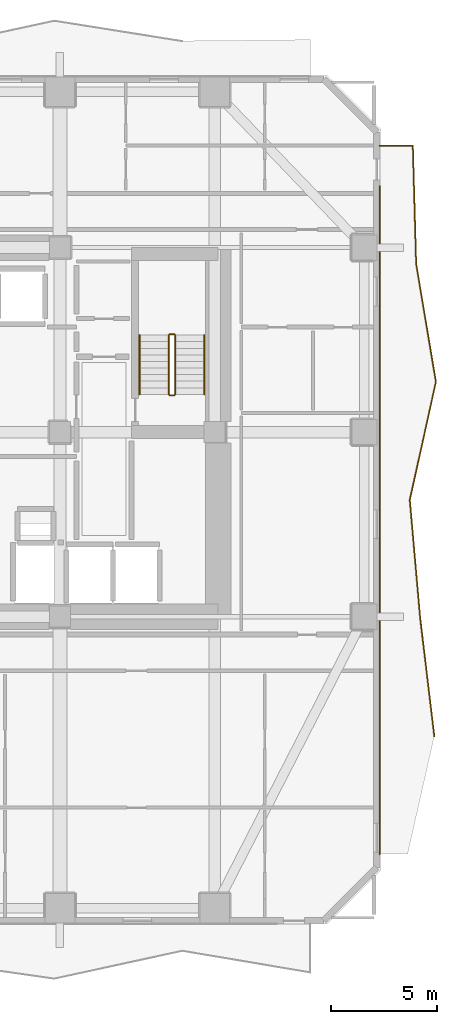
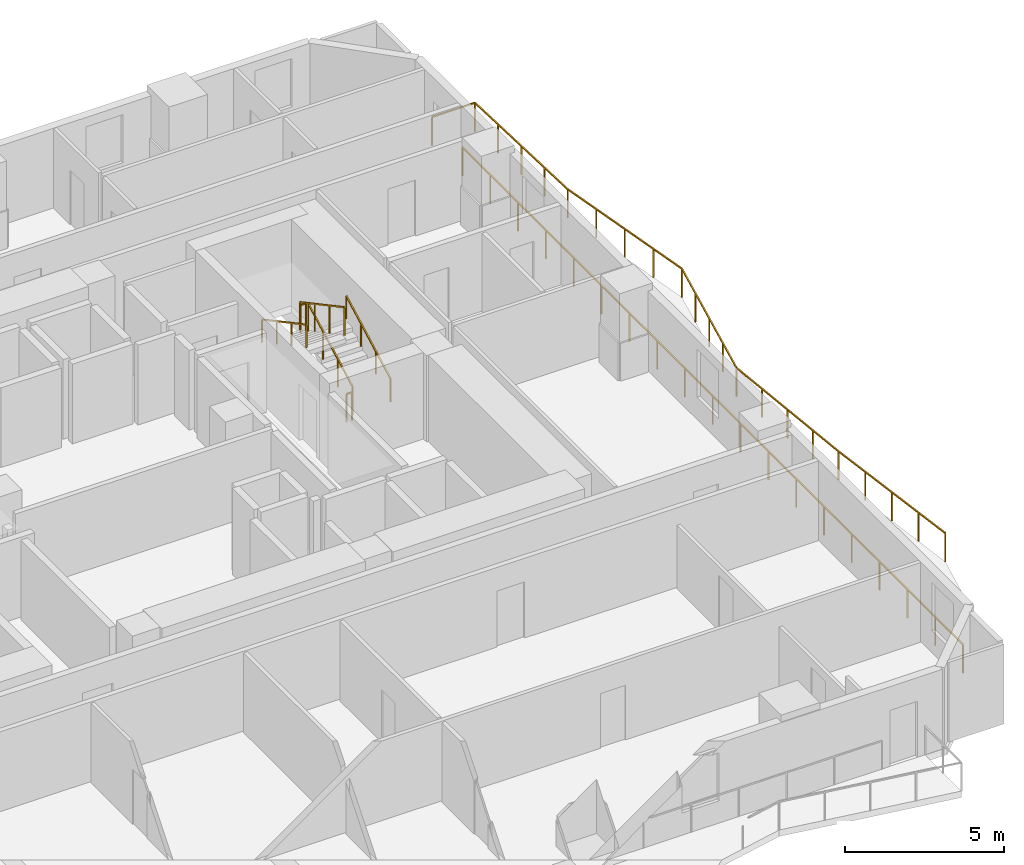
# One storey, part 10 of 11: 8 railings.
"""IFC4 building model written with IfcOpenShell, lengths in metres."""

import ifcopenshell
import ifcopenshell.guid

model = None  # the IFC model being written
_history = None  # IfcOwnerHistory: only IFC2X3 demands one
_inside = {}  # id of a spatial element -> (the spatial element, [elements in it])
_under = {}  # id of a project, library or spatial element -> (it, [spatial elements below it])
_declared = {}  # id of a project -> (the project, [libraries it declares])
_typed = {}  # id of a type object -> (the type object, [elements of that type])
_made_of = {}  # id of a material, layer set ... -> (it, [elements and type objects made of it])


def new_model(schema):
    """Start an empty IFC model of exactly this schema.

    Asked for "IFC4X3", IfcOpenShell would pick the latest addendum, in which some entities
    have other attributes; the version numbers below select the first issue.
    IFC2X3 requires an IfcOwnerHistory on every rooted entity: one is made here for all.
    """
    global model, _history
    if schema == "IFC4X3":
        model = ifcopenshell.file(schema_version=(4, 3, 0, 0))
    else:
        model = ifcopenshell.file(schema=schema)
    _inside.clear()
    _under.clear()
    _declared.clear()
    _typed.clear()
    _made_of.clear()
    _history = None
    if model.schema == "IFC2X3":
        org = make("IfcOrganization", Name="unknown")
        user = make(
            "IfcPersonAndOrganization",
            ThePerson=make("IfcPerson", FamilyName="unknown"),
            TheOrganization=org,
        )
        app = make(
            "IfcApplication",
            ApplicationDeveloper=org,
            Version="unknown",
            ApplicationFullName="unknown",
            ApplicationIdentifier="unknown",
        )
        _history = make(
            "IfcOwnerHistory",
            OwningUser=user,
            OwningApplication=app,
            ChangeAction="ADDED",
            CreationDate=0,
        )
    return model


def make(cls, **values):
    """One entity of the class cls with the attributes given. An attribute that is None is left unset."""
    return model.create_entity(
        cls, **{name: value for name, value in values.items() if value is not None}
    )


def rooted(cls, **values):
    """An entity with a GlobalId (a new one), such as an element, a storey or a relation."""
    return make(cls, GlobalId=ifcopenshell.guid.new(), OwnerHistory=_history, **values)


def si_unit(unit_type, name, prefix=None):
    """IfcSIUnit, for example si_unit("LENGTHUNIT", "METRE", prefix="MILLI")."""
    return make("IfcSIUnit", UnitType=unit_type, Prefix=prefix, Name=name)


def assignment(units):
    """IfcUnitAssignment: the units of a project."""
    return None if units is None else make("IfcUnitAssignment", Units=units)


def point(xyz):
    """IfcCartesianPoint."""
    return None if xyz is None else make("IfcCartesianPoint", Coordinates=xyz)


def direction(xyz):
    """IfcDirection."""
    return None if xyz is None else make("IfcDirection", DirectionRatios=xyz)


def frame(location, z_axis=None, x_axis=None):
    """IfcAxis2Placement3D, a coordinate frame: its origin and axes. An axis left out is left unset."""
    return make(
        "IfcAxis2Placement3D",
        Location=point(location),
        Axis=direction(z_axis),
        RefDirection=direction(x_axis),
    )


def frame_2d(location, x_axis=None):
    """IfcAxis2Placement2D, a coordinate frame in the plane: its origin and x axis."""
    return make(
        "IfcAxis2Placement2D", Location=point(location), RefDirection=direction(x_axis)
    )


def origin():
    """The frame at (0, 0, 0) with its axes left unset."""
    return frame((0.0, 0.0, 0.0))


def origin_2d():
    """The frame at (0, 0) in the plane with its x axis left unset."""
    return frame_2d((0.0, 0.0))


def place(relative_to, where):
    """IfcLocalPlacement: puts the frame where relative to a parent placement (None: the world)."""
    return make(
        "IfcLocalPlacement", PlacementRelTo=relative_to, RelativePlacement=where
    )


def context(
    kind, dimensions, precision=None, world=None, true_north=None, identifier=None
):
    """IfcGeometricRepresentationContext, for example the 3D "Model" context."""
    return make(
        "IfcGeometricRepresentationContext",
        ContextIdentifier=identifier,
        ContextType=kind,
        CoordinateSpaceDimension=dimensions,
        Precision=precision,
        WorldCoordinateSystem=world,
        TrueNorth=true_north,
    )


def subcontext(parent, identifier, kind, view, scale=None):
    """IfcGeometricRepresentationSubContext, for example "Body" below "Model"."""
    return make(
        "IfcGeometricRepresentationSubContext",
        ContextIdentifier=identifier,
        ContextType=kind,
        ParentContext=parent,
        TargetScale=scale,
        TargetView=view,
    )


def project(units=None, contexts=None):
    """IfcProject with its units and contexts."""
    return rooted(
        "IfcProject",
        Name="project",
        RepresentationContexts=contexts,
        UnitsInContext=assignment(units),
    )


def spatial(cls, under=None, at=None, **own):
    """A site, building, storey or space (cls), placed at a placement, below another one or the project."""
    s = rooted(cls, ObjectPlacement=at, **own)
    if under is not None:
        _under.setdefault(under.id(), (under, []))[1].append(s)
    return s


def profile(cls, at=None, kind="AREA", **sizes):
    """A parametric profile (cls). Its sizes go by their IFC names, for example OverallWidth=200.0."""
    return make(cls, ProfileType=kind, Position=at, **sizes)


def rectangle(**sizes):
    """IfcRectangleProfileDef."""
    return profile("IfcRectangleProfileDef", **sizes)


def extrude(swept, where, along, depth):
    """IfcExtrudedAreaSolid: the profile swept, set in the frame where, extruded along a direction by depth."""
    return make(
        "IfcExtrudedAreaSolid",
        SweptArea=swept,
        Position=where,
        ExtrudedDirection=direction(along),
        Depth=depth,
    )


def shape(context_of_items, identifier, shape_type, items):
    """IfcShapeRepresentation: the items that make up one representation, for example the "Body"."""
    return make(
        "IfcShapeRepresentation",
        ContextOfItems=context_of_items,
        RepresentationIdentifier=identifier,
        RepresentationType=shape_type,
        Items=items,
    )


def material(Name=None, Category=None):
    """IfcMaterial."""
    return make("IfcMaterial", Name=Name, Category=Category)


def made_of(thing, what):
    """Note that an element or type object is made of a material, layer set ...; save() writes the relation."""
    if what is not None:
        _made_of.setdefault(what.id(), (what, []))[1].append(thing)
    return thing


def type_object(cls, material=None, **own):
    """A type object (cls), such as IfcWallType, which elements share."""
    return made_of(rooted(cls, **own), material)


def element(
    cls,
    number,
    at=None,
    inside=None,
    cuts=None,
    type_object=None,
    material=None,
    context=None,
    identifier="Body",
    shape_type=None,
    held_by="IfcProductDefinitionShape",
    body=None,
    shapes=None,
    **own,
):
    """One element of the class cls, such as IfcWall. Its Tag is "e" and its number.

    at: its placement. inside: the storey or other place that contains it. cuts: it is an
    opening in that element (IfcRelVoidsElement). A single representation is given by context,
    identifier, shape_type and body (its items); several are given by shapes. held_by: the class
    of the entity that holds the representations. save() writes the other relations.
    """
    e = rooted(cls, Tag="e%d" % number, ObjectPlacement=at, **own)
    if body is not None:
        shapes = [shape(context, identifier, shape_type, body)]
    if shapes is not None:
        e.Representation = make(held_by, Representations=shapes)
    if inside is not None:
        _inside.setdefault(inside.id(), (inside, []))[1].append(e)
    if cuts is not None:
        rooted(
            "IfcRelVoidsElement", RelatingBuildingElement=cuts, RelatedOpeningElement=e
        )
    if type_object is not None:
        _typed.setdefault(type_object.id(), (type_object, []))[1].append(e)
    return made_of(e, material)


def aggregate(whole, parts):
    """IfcRelAggregates: a whole, such as a stair, and the parts it consists of."""
    return rooted("IfcRelAggregates", RelatingObject=whole, RelatedObjects=parts)


def save(model, path):
    """Write the relations noted so far, then the file.

    IfcRelAggregates (storeys below a building ...), IfcRelContainedInSpatialStructure (elements
    in a storey), IfcRelDefinesByType, IfcRelAssociatesMaterial and IfcRelDeclares: one each for
    every whole, place, type object, material and project.
    """
    for whole, parts in _under.values():
        aggregate(whole, parts)
    for where, things in _inside.values():
        rooted(
            "IfcRelContainedInSpatialStructure",
            RelatedElements=things,
            RelatingStructure=where,
        )
    for kind, things in _typed.values():
        rooted("IfcRelDefinesByType", RelatedObjects=things, RelatingType=kind)
    for what, things in _made_of.values():
        rooted("IfcRelAssociatesMaterial", RelatedObjects=things, RelatingMaterial=what)
    for by, libraries in _declared.values():
        rooted("IfcRelDeclares", RelatingContext=by, RelatedDefinitions=libraries)
    model.write(path)


model = new_model("IFC4")

# Units and contexts
model_context = context("Model", 3, precision=1e-05, world=origin(), true_north=direction((0.0, 1.0)))
body_context = subcontext(model_context, "Body", "Model", "MODEL_VIEW")
ifc_project = project(units=[si_unit("LENGTHUNIT", "METRE"), si_unit("AREAUNIT", "SQUARE_METRE"), si_unit("VOLUMEUNIT", "CUBIC_METRE"), si_unit("PLANEANGLEUNIT", "RADIAN"), si_unit("MASSUNIT", "GRAM", prefix="KILO")], contexts=[model_context])

# Site, building, storey
site_placement = place(None, origin())
site = spatial("IfcSite", under=ifc_project, at=site_placement, CompositionType="ELEMENT")
building_placement = place(site_placement, origin())
building = spatial("IfcBuilding", under=site, at=building_placement, Name="Solanera Arch Residences", CompositionType="ELEMENT")
storey_placement = place(building_placement, frame((0.0, 0.0, 31.9599609375)))
storey = spatial("IfcBuildingStorey", under=building, at=storey_placement, Name="L08", CompositionType="ELEMENT", Elevation=31.9599609375)

# Railings
ifc_material_1 = material(Name="Steel S355 (ASTM A992 / A572 Grade 50)", Category="steel")
railing_type_1 = type_object("IfcRailingType", Name="Balustrade Railing BL-1100", PredefinedType="BALUSTRADE", material=ifc_material_1)
railing_1_placement = place(storey_placement, frame((46.85009765625, 16.366943359375, 0.0)))
element("IfcRailing", 1, at=railing_1_placement, inside=storey, type_object=railing_type_1, Name="L08 E Balcony Balustrade 1", PredefinedType="BALUSTRADE", context=body_context, shape_type="SweptSolid", body=[
    extrude(rectangle(XDim=0.048095703125, YDim=0.048095703125, at=origin_2d()), frame((0.0, 0.0, 1.09619140625), z_axis=(-0.118806904127, 0.992917377999, 0.0), x_axis=(-0.992917377999, -0.118806904127, 0.0)), (0.0, 0.0, 1.0), 5.60595703125),
    extrude(rectangle(XDim=0.048095703125, YDim=0.048095703125, at=origin_2d()), frame((-0.666015625, 5.566162109375, 1.09619140625), z_axis=(-0.087679611199, 0.996148726737, 0.0), x_axis=(-0.996148726737, -0.087679611199, 0.0)), (0.0, 0.0, 1.0), 5.58837890625),
    extrude(rectangle(XDim=0.048095703125, YDim=0.048095703125, at=origin_2d()), frame((-1.156005859375, 11.133056640625, 1.09619140625), z_axis=(0.216068938823, 0.976378109994, 0.0), x_axis=(-0.976378109994, 0.216068938823, 0.0)), (0.0, 0.0, 1.0), 5.70166015625),
    extrude(rectangle(XDim=0.048095703125, YDim=0.048095703125, at=origin_2d()), frame((0.075927734375, 16.699951171875, 1.09619140625), z_axis=(-0.165163573258, 0.986266188242, 0.0), x_axis=(-0.986266188242, -0.165163573258, 0.0)), (0.0, 0.0, 1.0), 5.6435546875),
    extrude(rectangle(XDim=0.048095703125, YDim=0.048095703125, at=origin_2d()), frame((-0.856201171875, 22.26611328125, 1.09619140625), z_axis=(-0.028012859953, 0.999607562835, 0.0), x_axis=(-0.999607562835, -0.028012859953, 0.0)), (0.0, 0.0, 1.0), 5.569091796875),
    extrude(rectangle(XDim=0.048095703125, YDim=0.048095703125, at=origin_2d()), frame((-1.01220703125, 27.8330078125, 1.09619140625), z_axis=(-1.0, 0.0, 0.0), x_axis=(0.0, -1.0, 0.0)), (0.0, 0.0, 1.0), 1.557861328125),
    extrude(rectangle(XDim=0.0419921875, YDim=0.0419921875, at=origin_2d()), origin(), (0.0, 0.0, 1.0), 1.072021484375),
    extrude(rectangle(XDim=0.0419921875, YDim=0.0419921875, at=origin_2d()), frame((-0.16650390625, 1.3916015625, 0.0)), (0.0, 0.0, 1.0), 1.072021484375),
    extrude(rectangle(XDim=0.0419921875, YDim=0.0419921875, at=origin_2d()), frame((-0.3330078125, 2.783203125, 0.0)), (0.0, 0.0, 1.0), 1.072021484375),
    extrude(rectangle(XDim=0.0419921875, YDim=0.0419921875, at=origin_2d()), frame((-0.49951171875, 4.174560546875, 0.0)), (0.0, 0.0, 1.0), 1.072021484375),
    extrude(rectangle(XDim=0.0419921875, YDim=0.0419921875, at=origin_2d()), frame((-0.666015625, 5.566162109375, 0.0)), (0.0, 0.0, 1.0), 1.072021484375),
    extrude(rectangle(XDim=0.0419921875, YDim=0.0419921875, at=origin_2d()), frame((-0.78857421875, 6.9580078125, 0.0)), (0.0, 0.0, 1.0), 1.072021484375),
    extrude(rectangle(XDim=0.0419921875, YDim=0.0419921875, at=origin_2d()), frame((-0.9111328125, 8.349609375, 0.0)), (0.0, 0.0, 1.0), 1.072021484375),
    extrude(rectangle(XDim=0.0419921875, YDim=0.0419921875, at=origin_2d()), frame((-1.033447265625, 9.7412109375, 0.0)), (0.0, 0.0, 1.0), 1.072021484375),
    extrude(rectangle(XDim=0.0419921875, YDim=0.0419921875, at=origin_2d()), frame((-1.156005859375, 11.133056640625, 0.0)), (0.0, 0.0, 1.0), 1.072021484375),
    extrude(rectangle(XDim=0.0419921875, YDim=0.0419921875, at=origin_2d()), frame((-0.84814453125, 12.52490234375, 0.0)), (0.0, 0.0, 1.0), 1.072021484375),
    extrude(rectangle(XDim=0.0419921875, YDim=0.0419921875, at=origin_2d()), frame((-0.5400390625, 13.91650390625, 0.0)), (0.0, 0.0, 1.0), 1.072021484375),
    extrude(rectangle(XDim=0.0419921875, YDim=0.0419921875, at=origin_2d()), frame((-0.23193359375, 15.30810546875, 0.0)), (0.0, 0.0, 1.0), 1.072021484375),
    extrude(rectangle(XDim=0.0419921875, YDim=0.0419921875, at=origin_2d()), frame((0.075927734375, 16.699951171875, 0.0)), (0.0, 0.0, 1.0), 1.072021484375),
    extrude(rectangle(XDim=0.0419921875, YDim=0.0419921875, at=origin_2d()), frame((-0.1572265625, 18.091552734375, 0.0)), (0.0, 0.0, 1.0), 1.072021484375),
    extrude(rectangle(XDim=0.0419921875, YDim=0.0419921875, at=origin_2d()), frame((-0.39013671875, 19.48291015625, 0.0)), (0.0, 0.0, 1.0), 1.072021484375),
    extrude(rectangle(XDim=0.0419921875, YDim=0.0419921875, at=origin_2d()), frame((-0.623046875, 20.87451171875, 0.0)), (0.0, 0.0, 1.0), 1.072021484375),
    extrude(rectangle(XDim=0.0419921875, YDim=0.0419921875, at=origin_2d()), frame((-0.856201171875, 22.26611328125, 0.0)), (0.0, 0.0, 1.0), 1.072021484375),
    extrude(rectangle(XDim=0.0419921875, YDim=0.0419921875, at=origin_2d()), frame((-0.895263671875, 23.65771484375, 0.0)), (0.0, 0.0, 1.0), 1.072021484375),
    extrude(rectangle(XDim=0.0419921875, YDim=0.0419921875, at=origin_2d()), frame((-0.93408203125, 25.049560546875, 0.0)), (0.0, 0.0, 1.0), 1.072021484375),
    extrude(rectangle(XDim=0.0419921875, YDim=0.0419921875, at=origin_2d()), frame((-0.97314453125, 26.44140625, 0.0)), (0.0, 0.0, 1.0), 1.072021484375),
    extrude(rectangle(XDim=0.0419921875, YDim=0.0419921875, at=origin_2d()), frame((-1.01220703125, 27.8330078125, 0.0)), (0.0, 0.0, 1.0), 1.072021484375),
    extrude(rectangle(XDim=0.0419921875, YDim=0.0419921875, at=origin_2d()), frame((-2.570068359375, 27.8330078125, 0.0)), (0.0, 0.0, 1.0), 1.072021484375),
])
railing_2_placement = place(storey_placement, frame((44.280029296875, 42.283935546875, 0.0)))
element("IfcRailing", 2, at=railing_2_placement, inside=storey, type_object=railing_type_1, Name="L08 E Balcony Balustrade 2", PredefinedType="BALUSTRADE", context=body_context, shape_type="SweptSolid", body=[
    extrude(rectangle(XDim=0.048095703125, YDim=0.048095703125, at=origin_2d()), frame((0.0, 0.0, 1.09619140625), z_axis=(0.0, -1.0, 0.0), x_axis=(1.0, 0.0, 0.0)), (0.0, 0.0, 1.0), 31.48388671875),
    extrude(rectangle(XDim=0.0419921875, YDim=0.0419921875, at=origin_2d()), origin(), (0.0, 0.0, 1.0), 1.072021484375),
    extrude(rectangle(XDim=0.0419921875, YDim=0.0419921875, at=origin_2d()), frame((0.0, -1.7490234375, 0.0)), (0.0, 0.0, 1.0), 1.072021484375),
    extrude(rectangle(XDim=0.0419921875, YDim=0.0419921875, at=origin_2d()), frame((0.0, -3.498291015625, 0.0)), (0.0, 0.0, 1.0), 1.072021484375),
    extrude(rectangle(XDim=0.0419921875, YDim=0.0419921875, at=origin_2d()), frame((0.0, -5.247314453125, 0.0)), (0.0, 0.0, 1.0), 1.072021484375),
    extrude(rectangle(XDim=0.0419921875, YDim=0.0419921875, at=origin_2d()), frame((0.0, -6.996337890625, 0.0)), (0.0, 0.0, 1.0), 1.072021484375),
    extrude(rectangle(XDim=0.0419921875, YDim=0.0419921875, at=origin_2d()), frame((0.0, -8.74560546875, 0.0)), (0.0, 0.0, 1.0), 1.072021484375),
    extrude(rectangle(XDim=0.0419921875, YDim=0.0419921875, at=origin_2d()), frame((0.0, -10.49462890625, 0.0)), (0.0, 0.0, 1.0), 1.072021484375),
    extrude(rectangle(XDim=0.0419921875, YDim=0.0419921875, at=origin_2d()), frame((0.0, -12.24365234375, 0.0)), (0.0, 0.0, 1.0), 1.072021484375),
    extrude(rectangle(XDim=0.0419921875, YDim=0.0419921875, at=origin_2d()), frame((0.0, -13.992919921875, 0.0)), (0.0, 0.0, 1.0), 1.072021484375),
    extrude(rectangle(XDim=0.0419921875, YDim=0.0419921875, at=origin_2d()), frame((0.0, -15.741943359375, 0.0)), (0.0, 0.0, 1.0), 1.072021484375),
    extrude(rectangle(XDim=0.0419921875, YDim=0.0419921875, at=origin_2d()), frame((0.0, -17.490966796875, 0.0)), (0.0, 0.0, 1.0), 1.072021484375),
    extrude(rectangle(XDim=0.0419921875, YDim=0.0419921875, at=origin_2d()), frame((0.0, -19.240234375, 0.0)), (0.0, 0.0, 1.0), 1.072021484375),
    extrude(rectangle(XDim=0.0419921875, YDim=0.0419921875, at=origin_2d()), frame((0.0, -20.9892578125, 0.0)), (0.0, 0.0, 1.0), 1.072021484375),
    extrude(rectangle(XDim=0.0419921875, YDim=0.0419921875, at=origin_2d()), frame((0.0, -22.73828125, 0.0)), (0.0, 0.0, 1.0), 1.072021484375),
    extrude(rectangle(XDim=0.0419921875, YDim=0.0419921875, at=origin_2d()), frame((0.0, -24.487548828125, 0.0)), (0.0, 0.0, 1.0), 1.072021484375),
    extrude(rectangle(XDim=0.0419921875, YDim=0.0419921875, at=origin_2d()), frame((0.0, -26.236572265625, 0.0)), (0.0, 0.0, 1.0), 1.072021484375),
    extrude(rectangle(XDim=0.0419921875, YDim=0.0419921875, at=origin_2d()), frame((0.0, -27.985595703125, 0.0)), (0.0, 0.0, 1.0), 1.072021484375),
    extrude(rectangle(XDim=0.0419921875, YDim=0.0419921875, at=origin_2d()), frame((0.0, -29.73486328125, 0.0)), (0.0, 0.0, 1.0), 1.072021484375),
    extrude(rectangle(XDim=0.0419921875, YDim=0.0419921875, at=origin_2d()), frame((0.0, -31.48388671875, 0.0)), (0.0, 0.0, 1.0), 1.072021484375),
])
ifc_material_2 = material(Name="Steel S355 (ASTM A992 / A572 Grade 50)", Category="steel")
railing_type_2 = type_object("IfcRailingType", Name="Stair Guardrail GR-1100", PredefinedType="GUARDRAIL", material=ifc_material_2)
railing_3_placement = place(storey_placement, frame((34.6298828125, 32.47998046875, 0.151123046875)))
element("IfcRailing", 3, at=railing_3_placement, inside=storey, type_object=railing_type_2, Name="L08 ST-T2 stair guard 1", PredefinedType="GUARDRAIL", context=body_context, shape_type="SweptSolid", body=[
    extrude(rectangle(XDim=0.048095703125, YDim=0.048095703125, at=origin_2d()), frame((0.0, 0.0, 1.076171875), z_axis=(0.0, 0.881580869306, 0.472033018838), x_axis=(-1.0, 0.0, 0.0)), (0.0, 0.0, 1.0), 3.164794921875),
    extrude(rectangle(XDim=0.0419921875, YDim=0.0419921875, at=origin_2d()), origin(), (0.0, 0.0, 1.0), 1.052001953125),
    extrude(rectangle(XDim=0.0419921875, YDim=0.0419921875, at=origin_2d()), frame((0.0, 0.929931640625, 0.498046875)), (0.0, 0.0, 1.0), 1.052001953125),
    extrude(rectangle(XDim=0.0419921875, YDim=0.0419921875, at=origin_2d()), frame((0.0, 1.860107421875, 0.995849609375)), (0.0, 0.0, 1.0), 1.052001953125),
    extrude(rectangle(XDim=0.0419921875, YDim=0.0419921875, at=origin_2d()), frame((0.0, 2.7900390625, 1.493896484375)), (0.0, 0.0, 1.0), 1.052001953125),
])
railing_4_placement = place(storey_placement, frame((34.580078125, 35.320068359375, 1.64501953125)))
element("IfcRailing", 4, at=railing_4_placement, inside=storey, type_object=railing_type_2, Name="L08 ST-T2 stair guard 2", PredefinedType="GUARDRAIL", context=body_context, shape_type="SweptSolid", body=[
    extrude(rectangle(XDim=0.048095703125, YDim=0.048095703125, at=origin_2d()), frame((0.0, 0.0, 1.076171875), z_axis=(-1.0, 0.0, 0.0), x_axis=(0.0, -1.0, 0.0)), (0.0, 0.0, 1.0), 0.2001953125),
    extrude(rectangle(XDim=0.0419921875, YDim=0.0419921875, at=origin_2d()), origin(), (0.0, 0.0, 1.0), 1.052001953125),
    extrude(rectangle(XDim=0.0419921875, YDim=0.0419921875, at=origin_2d()), frame((-0.2001953125, 0.0, 0.0)), (0.0, 0.0, 1.0), 1.052001953125),
])
railing_5_placement = place(storey_placement, frame((34.330078125, 35.27001953125, 1.81103515625)))
element("IfcRailing", 5, at=railing_5_placement, inside=storey, type_object=railing_type_2, Name="L08 ST-T2 stair guard 3", PredefinedType="GUARDRAIL", context=body_context, shape_type="SweptSolid", body=[
    extrude(rectangle(XDim=0.048095703125, YDim=0.048095703125, at=origin_2d()), frame((0.0, 0.0, 1.076171875), z_axis=(0.0, -0.881580869306, 0.472033018838), x_axis=(1.0, 0.0, 0.0)), (0.0, 0.0, 1.0), 3.164794921875),
    extrude(rectangle(XDim=0.0419921875, YDim=0.0419921875, at=origin_2d()), origin(), (0.0, 0.0, 1.0), 1.052001953125),
    extrude(rectangle(XDim=0.0419921875, YDim=0.0419921875, at=origin_2d()), frame((0.0, -0.929931640625, 0.498046875)), (0.0, 0.0, 1.0), 1.052001953125),
    extrude(rectangle(XDim=0.0419921875, YDim=0.0419921875, at=origin_2d()), frame((0.0, -1.860107421875, 0.995849609375)), (0.0, 0.0, 1.0), 1.052001953125),
    extrude(rectangle(XDim=0.0419921875, YDim=0.0419921875, at=origin_2d()), frame((0.0, -2.7900390625, 1.493896484375)), (0.0, 0.0, 1.0), 1.052001953125),
])
railing_6_placement = place(storey_placement, frame((34.580078125, 32.429931640625, -0.014892578125)))
element("IfcRailing", 6, at=railing_6_placement, inside=storey, type_object=railing_type_2, Name="L08 ST-T2 stair guard 4", PredefinedType="GUARDRAIL", context=body_context, shape_type="SweptSolid", body=[
    extrude(rectangle(XDim=0.048095703125, YDim=0.048095703125, at=origin_2d()), frame((0.0, 0.0, 1.076171875), z_axis=(-1.0, 0.0, 0.0), x_axis=(0.0, -1.0, 0.0)), (0.0, 0.0, 1.0), 0.2001953125),
    extrude(rectangle(XDim=0.0419921875, YDim=0.0419921875, at=origin_2d()), origin(), (0.0, 0.0, 1.0), 1.052001953125),
    extrude(rectangle(XDim=0.0419921875, YDim=0.0419921875, at=origin_2d()), frame((-0.2001953125, 0.0, 0.0)), (0.0, 0.0, 1.0), 1.052001953125),
])
ifc_material_3 = material(Name="Steel S355 (ASTM A992 / A572 Grade 50)", Category="steel")
railing_type_3 = type_object("IfcRailingType", Name="Stair Wall Handrail HR-920", PredefinedType="HANDRAIL", material=ifc_material_3)
railing_7_placement = place(storey_placement, frame((36.010009765625, 32.47998046875, 0.166015625)))
element("IfcRailing", 7, at=railing_7_placement, inside=storey, type_object=railing_type_3, Name="L08 ST-T2 stair handrail 1", PredefinedType="HANDRAIL", context=body_context, shape_type="SweptSolid", body=[
    extrude(rectangle(XDim=0.048095703125, YDim=0.048095703125, at=origin_2d()), frame((0.0, 0.0, 0.8759765625), z_axis=(0.0, 0.881548766853, 0.472092969298), x_axis=(-1.0, 0.0, 0.0)), (0.0, 0.0, 1.0), 3.1650390625),
    extrude(rectangle(XDim=0.0419921875, YDim=0.0419921875, at=origin_2d()), origin(), (0.0, 0.0, 1.0), 0.851806640625),
    extrude(rectangle(XDim=0.0419921875, YDim=0.0419921875, at=origin_2d()), frame((0.0, 0.929931640625, 0.498046875)), (0.0, 0.0, 1.0), 0.851806640625),
    extrude(rectangle(XDim=0.0419921875, YDim=0.0419921875, at=origin_2d()), frame((0.0, 1.860107421875, 0.99609375)), (0.0, 0.0, 1.0), 0.851806640625),
    extrude(rectangle(XDim=0.0419921875, YDim=0.0419921875, at=origin_2d()), frame((0.0, 2.7900390625, 1.494140625)), (0.0, 0.0, 1.0), 0.851806640625),
])
railing_8_placement = place(storey_placement, frame((32.949951171875, 35.27001953125, 1.825927734375)))
element("IfcRailing", 8, at=railing_8_placement, inside=storey, type_object=railing_type_3, Name="L08 ST-T2 stair handrail 2", PredefinedType="HANDRAIL", context=body_context, shape_type="SweptSolid", body=[
    extrude(rectangle(XDim=0.048095703125, YDim=0.048095703125, at=origin_2d()), frame((0.0, 0.0, 0.8759765625), z_axis=(0.0, -0.881548766853, 0.472092969298), x_axis=(1.0, 0.0, 0.0)), (0.0, 0.0, 1.0), 3.1650390625),
    extrude(rectangle(XDim=0.0419921875, YDim=0.0419921875, at=origin_2d()), origin(), (0.0, 0.0, 1.0), 0.851806640625),
    extrude(rectangle(XDim=0.0419921875, YDim=0.0419921875, at=origin_2d()), frame((0.0, -0.929931640625, 0.498046875)), (0.0, 0.0, 1.0), 0.851806640625),
    extrude(rectangle(XDim=0.0419921875, YDim=0.0419921875, at=origin_2d()), frame((0.0, -1.860107421875, 0.99609375)), (0.0, 0.0, 1.0), 0.851806640625),
    extrude(rectangle(XDim=0.0419921875, YDim=0.0419921875, at=origin_2d()), frame((0.0, -2.7900390625, 1.494140625)), (0.0, 0.0, 1.0), 0.851806640625),
])

save(model, "model.ifc")
